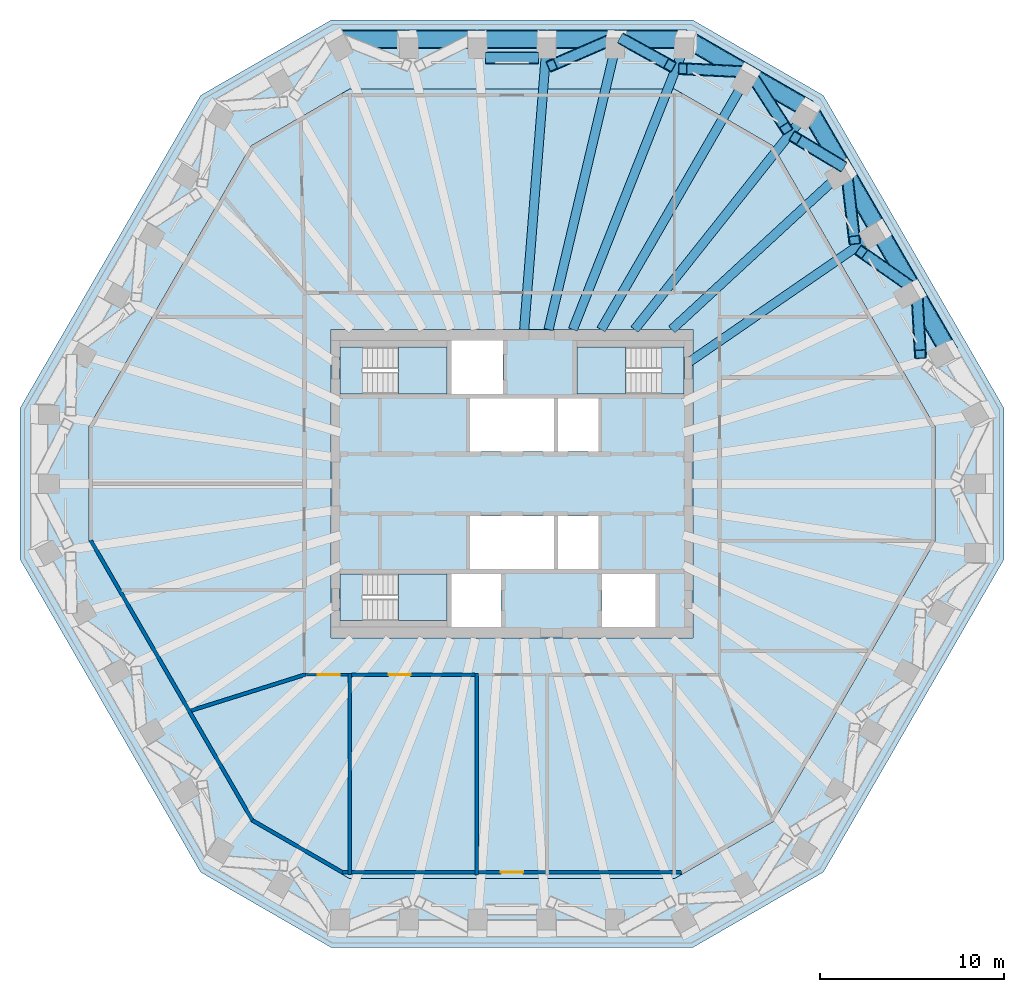
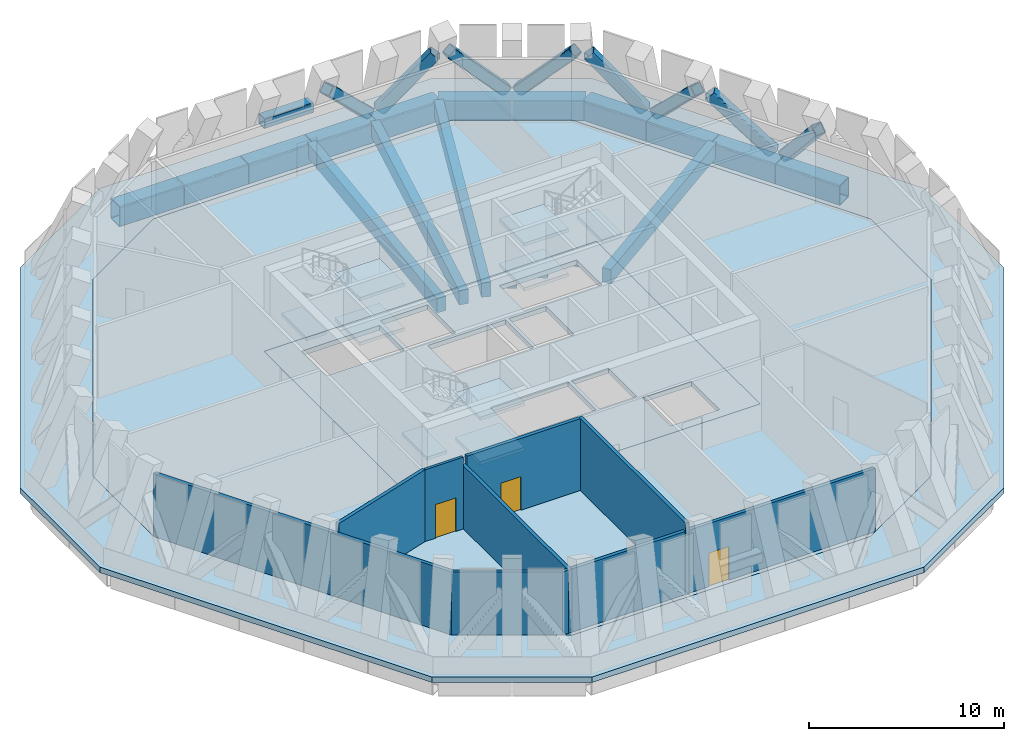
# One storey, part 3 of 8: 18 beams, 12 slabs, 9 members, 8 walls, 3 doors, 3 openings, 3 elements without a shape of their own.
"""IFC4 building model written with IfcOpenShell, lengths in metres."""

from ifc_helpers import new_model, si_unit, direction, frame, frame_2d, origin, origin_2d, place, context, subcontext, project, spatial, polyline, rectangle, hollow_rectangle, outline, extrude, material, layer, layer_set, material_profile, profile_set, type_object, element, fill, aggregate, save


model = new_model("IFC4")

# Units and contexts
model_context = context("Model", 3, precision=1e-05, world=origin(), true_north=direction((0.0, 1.0)))
body_context = subcontext(model_context, "Body", "Model", "MODEL_VIEW")
ifc_project = project(units=[si_unit("LENGTHUNIT", "METRE"), si_unit("AREAUNIT", "SQUARE_METRE"), si_unit("VOLUMEUNIT", "CUBIC_METRE"), si_unit("PLANEANGLEUNIT", "RADIAN"), si_unit("MASSUNIT", "GRAM", prefix="KILO")], contexts=[model_context])

# Site, building, storey
site_placement = place(None, origin())
site = spatial("IfcSite", under=ifc_project, at=site_placement, CompositionType="ELEMENT")
building_placement = place(site_placement, origin())
building = spatial("IfcBuilding", under=site, at=building_placement, Name="Frailejon Research Tower", CompositionType="ELEMENT")
storey_placement = place(building_placement, frame((0.0, 0.0, 257.39990234375)))
storey = spatial("IfcBuildingStorey", under=building, at=storey_placement, Name="L56", CompositionType="ELEMENT", Elevation=257.39990234375)

# Beams
ifc_material_1 = material(Name="Steel S355", Category="steel")
ifc_material_profile_1 = material_profile(ifc_material_1, hollow_rectangle(XDim=1.0, YDim=1.300048828125, WallThickness=0.06005859375, InnerFilletRadius=0.06005859375, OuterFilletRadius=0.1201171875, at=origin_2d()), Name="Belt chord")
ifc_profile_set_1 = profile_set([ifc_material_profile_1], Name="Steel S355")
beam_type_1 = type_object("IfcBeamType", Name="Belt chord", PredefinedType="BEAM", material=ifc_profile_set_1)
for number, where, z_axis, x_axis, name in (
    (1, (23.813720703125, 7.1533203125, -1.0), (-0.500000040646, 0.866025380318, 0.0), (-0.866025380318, -0.500000040646, 0.0), "Belt chord"),
    (2, (21.903076171875, 10.462646484375, -1.0), (-0.500000040646, 0.866025380318, 0.0), (-0.866025380318, -0.500000040646, 0.0), "Belt chord"),
    (3, (19.992431640625, 13.77197265625, -1.0), (-0.500000040646, 0.866025380318, 0.0), (-0.866025380318, -0.500000040646, 0.0), "Belt chord"),
    (4, (18.081787109375, 17.081298828125, -1.0), (-0.500000040646, 0.866025380318, 0.0), (-0.866025380318, -0.500000040646, 0.0), "Belt chord"),
):
    element("IfcBeam", number, at=place(storey_placement, frame(where, z_axis=z_axis, x_axis=x_axis)), inside=storey, type_object=beam_type_1, Name=name, PredefinedType="BEAM", context=body_context, shape_type="SweptSolid", body=[
        extrude(hollow_rectangle(XDim=1.0, YDim=1.300048828125, WallThickness=0.06005859375, InnerFilletRadius=0.06005859375, OuterFilletRadius=0.1201171875, at=origin_2d()), origin(), (0.0, 0.0, 1.0), 3.78125),
    ])
for number, where, z_axis, x_axis, name in (
    (5, (16.163818359375, 20.38330078125, -1.0), (-0.86602453317, 0.500001507946, 0.0), (-0.500001507946, -0.86602453317, 0.0), "Belt chord"),
    (6, (12.849853515625, 22.296630859375, -1.0), (-0.86602453317, 0.500001507946, 0.0), (-0.500001507946, -0.86602453317, 0.0), "Belt chord"),
):
    element("IfcBeam", number, at=place(storey_placement, frame(where, z_axis=z_axis, x_axis=x_axis)), inside=storey, type_object=beam_type_1, Name=name, PredefinedType="BEAM", context=body_context, shape_type="SweptSolid", body=[
        extrude(hollow_rectangle(XDim=1.0, YDim=1.300048828125, WallThickness=0.06005859375, InnerFilletRadius=0.06005859375, OuterFilletRadius=0.1201171875, at=origin_2d()), origin(), (0.0, 0.0, 1.0), 3.78662109375),
    ])
for number, where, z_axis, x_axis, name in (
    (7, (9.533203125, 24.199951171875, -1.0), (-1.0, 0.0, 0.0), (0.0, -1.0, 0.0), "Belt chord"),
    (8, (5.7119140625, 24.199951171875, -1.0), (-1.0, 0.0, 0.0), (0.0, -1.0, 0.0), "Belt chord"),
    (9, (1.890625, 24.199951171875, -1.0), (-1.0, 0.0, 0.0), (0.0, -1.0, 0.0), "Belt chord"),
    (10, (-1.9306640625, 24.199951171875, -1.0), (-1.0, 0.0, 0.0), (0.0, -1.0, 0.0), "Belt chord"),
    (11, (-5.751953125, 24.199951171875, -1.0), (-1.0, 0.0, 0.0), (0.0, -1.0, 0.0), "Belt chord"),
):
    element("IfcBeam", number, at=place(storey_placement, frame(where, z_axis=z_axis, x_axis=x_axis)), inside=storey, type_object=beam_type_1, Name=name, PredefinedType="BEAM", context=body_context, shape_type="SweptSolid", body=[
        extrude(hollow_rectangle(XDim=1.0, YDim=1.300048828125, WallThickness=0.06005859375, InnerFilletRadius=0.06005859375, OuterFilletRadius=0.1201171875, at=origin_2d()), origin(), (0.0, 0.0, 1.0), 3.78125),
    ])

# Members
ifc_material_2 = material(Name="Steel S355", Category="steel")
ifc_material_profile_2 = material_profile(ifc_material_2, hollow_rectangle(XDim=0.64990234375, YDim=0.64990234375, WallThickness=0.044921875, InnerFilletRadius=0.044921875, OuterFilletRadius=0.090087890625, at=origin_2d()), Name="Belt diagonal 5600")
ifc_profile_set_2 = profile_set([ifc_material_profile_2], Name="Steel S355")
member_type = type_object("IfcMemberType", Name="Belt diagonal 5600", PredefinedType="BRACE", material=ifc_profile_set_2)
member_1_placement = place(storey_placement, frame((22.23291015625, 7.05419921875, 3.53076171875), z_axis=(-0.037016501907, 0.664116464528, -0.746712193639), x_axis=(-0.998450249539, -0.055651587545, 0.0)))
element("IfcMember", 12, at=member_1_placement, inside=storey, type_object=member_type, Name="Belt truss diagonal", PredefinedType="BRACE", context=body_context, shape_type="SweptSolid", body=[
    extrude(hollow_rectangle(XDim=0.64990234375, YDim=0.64990234375, WallThickness=0.044921875, InnerFilletRadius=0.044921875, OuterFilletRadius=0.090087890625, at=origin_2d()), origin(), (0.0, 0.0, 1.0), 4.59033203125),
])
member_2_placement = place(storey_placement, frame((21.68798828125, 10.752197265625, 0.10302734375), z_axis=(-0.564317080241, 0.394954830887, 0.724953042967), x_axis=(-0.573396938011, -0.819277701075, 0.0)))
element("IfcMember", 13, at=member_2_placement, inside=storey, type_object=member_type, Name="Belt truss diagonal", PredefinedType="BRACE", context=body_context, shape_type="SweptSolid", body=[
    extrude(hollow_rectangle(XDim=0.64990234375, YDim=0.64990234375, WallThickness=0.044921875, InnerFilletRadius=0.044921875, OuterFilletRadius=0.090087890625, at=origin_2d()), origin(), (0.0, 0.0, 1.0), 4.728271484375),
])
member_3_placement = place(storey_placement, frame((18.644775390625, 13.269287109375, 3.53076171875), z_axis=(-0.081269119432, 0.706069316295, -0.703463894463), x_axis=(-0.993441006388, -0.114345821201, 0.0)))
element("IfcMember", 14, at=member_3_placement, inside=storey, type_object=member_type, Name="Belt truss diagonal", PredefinedType="BRACE", context=body_context, shape_type="SweptSolid", body=[
    extrude(hollow_rectangle(XDim=0.64990234375, YDim=0.64990234375, WallThickness=0.044921875, InnerFilletRadius=0.044921875, OuterFilletRadius=0.090087890625, at=origin_2d()), origin(), (0.0, 0.0, 1.0), 4.87255859375),
])
member_4_placement = place(storey_placement, frame((17.873779296875, 17.359375, 0.10302734375), z_axis=(-0.547624555557, 0.330797200043, 0.768557453021), x_axis=(-0.517047733263, -0.855956565211, 0.0)))
element("IfcMember", 15, at=member_4_placement, inside=storey, type_object=member_type, Name="Belt truss diagonal", PredefinedType="BRACE", context=body_context, shape_type="SweptSolid", body=[
    extrude(hollow_rectangle(XDim=0.64990234375, YDim=0.64990234375, WallThickness=0.044921875, InnerFilletRadius=0.044921875, OuterFilletRadius=0.090087890625, at=origin_2d()), origin(), (0.0, 0.0, 1.0), 4.4599609375),
])
for number, where, z_axis, x_axis, name in (
    (16, (14.919189453125, 19.346923828125, 3.531005859375), (-0.370939362242, 0.576170720042, -0.728307140501), (-0.840817244208, -0.541319094289, 0.0), "Belt truss diagonal"),
    (17, (12.521240234375, 22.4375, 0.098388671875), (-0.684438836439, 0.033204063737, 0.728313784934), (-0.048455841507, -0.998825325782, 0.0), "Belt truss diagonal"),
):
    element("IfcMember", number, at=place(storey_placement, frame(where, z_axis=z_axis, x_axis=x_axis)), inside=storey, type_object=member_type, Name=name, PredefinedType="BRACE", context=body_context, shape_type="SweptSolid", body=[
        extrude(hollow_rectangle(XDim=0.64990234375, YDim=0.64990234375, WallThickness=0.044921875, InnerFilletRadius=0.044921875, OuterFilletRadius=0.090087890625, at=origin_2d()), origin(), (0.0, 0.0, 1.0), 4.713134765625),
    ])
member_5_placement = place(storey_placement, frame((8.595703125, 22.781494140625, 3.53076171875), z_axis=(-0.560325446619, 0.308792091088, -0.76855893616), x_axis=(-0.482654313132, -0.875810946503, 0.0)))
element("IfcMember", 18, at=member_5_placement, inside=storey, type_object=member_type, Name="Belt truss diagonal", PredefinedType="BRACE", context=body_context, shape_type="SweptSolid", body=[
    extrude(hollow_rectangle(XDim=0.64990234375, YDim=0.64990234375, WallThickness=0.044921875, InnerFilletRadius=0.044921875, OuterFilletRadius=0.090087890625, at=origin_2d()), origin(), (0.0, 0.0, 1.0), 4.4599609375),
])
member_6_placement = place(storey_placement, frame((5.3466796875, 24.15869140625, 0.10302734375), z_axis=(-0.652110494088, -0.282639669393, 0.703467640184), x_axis=(0.397676681056, -0.917525616724, 0.0)))
element("IfcMember", 19, at=member_6_placement, inside=storey, type_object=member_type, Name="Belt truss diagonal", PredefinedType="BRACE", context=body_context, shape_type="SweptSolid", body=[
    extrude(hollow_rectangle(XDim=0.64990234375, YDim=0.64990234375, WallThickness=0.044921875, InnerFilletRadius=0.044921875, OuterFilletRadius=0.090087890625, at=origin_2d()), origin(), (0.0, 0.0, 1.0), 4.87255859375),
])
member_7_placement = place(storey_placement, frame((1.452392578125, 23.185546875, 2.525146484375), z_axis=(-1.0, 0.0, 0.0), x_axis=(0.0, -1.0, 0.0)))
element("IfcMember", 20, at=member_7_placement, inside=storey, type_object=member_type, Name="Belt truss door-head strut", PredefinedType="BRACE", context=body_context, shape_type="SweptSolid", body=[
    extrude(hollow_rectangle(XDim=0.64990234375, YDim=0.64990234375, WallThickness=0.044921875, InnerFilletRadius=0.044921875, OuterFilletRadius=0.090087890625, at=origin_2d()), origin(), (0.0, 0.0, 1.0), 2.90478515625),
])

# Beams
ifc_material_3 = material(Name="Concrete C60/75", Category="concrete")
ifc_material_profile_3 = material_profile(ifc_material_3, rectangle(XDim=0.5, YDim=0.89990234375, at=origin_2d()), Name="Girder 500x900")
ifc_profile_set_3 = profile_set([ifc_material_profile_3], Name="Concrete C60/75")
beam_type_2 = type_object("IfcBeamType", Name="Girder 500x900", PredefinedType="BEAM", material=ifc_profile_set_3)
beam_1_placement = place(storey_placement, frame((19.692138671875, 13.541259765625, -0.75), z_axis=(-0.823979789761, -0.566619189637, 0.0), x_axis=(0.566619189637, -0.823979789761, 0.0)))
element("IfcBeam", 21, at=beam_1_placement, inside=storey, type_object=beam_type_2, Name="Girder 500x900", PredefinedType="BEAM", context=body_context, shape_type="SweptSolid", body=[
    extrude(rectangle(XDim=0.5, YDim=0.89990234375, at=origin_2d()), origin(), (0.0, 0.0, 1.0), 12.612060546875),
])
beam_2_placement = place(storey_placement, frame((17.806640625, 16.80078125, -0.75), z_axis=(-0.735016449092, -0.678049275174, 0.0), x_axis=(0.678049275174, -0.735016449092, 0.0)))
element("IfcBeam", 22, at=beam_2_placement, inside=storey, type_object=beam_type_2, Name="Girder 500x900", PredefinedType="BEAM", context=body_context, shape_type="SweptSolid", body=[
    extrude(rectangle(XDim=0.5, YDim=0.89990234375, at=origin_2d()), origin(), (0.0, 0.0, 1.0), 12.389892578125),
])
beam_3_placement = place(storey_placement, frame((15.9443359375, 20.0751953125, -0.75), z_axis=(-0.621929399044, -0.783073318793, 0.0), x_axis=(0.783073318793, -0.621929399044, 0.0)))
element("IfcBeam", 23, at=beam_3_placement, inside=storey, type_object=beam_type_2, Name="Girder 500x900", PredefinedType="BEAM", context=body_context, shape_type="SweptSolid", body=[
    extrude(rectangle(XDim=0.5, YDim=0.89990234375, at=origin_2d()), origin(), (0.0, 0.0, 1.0), 14.90966796875),
])
beam_4_placement = place(storey_placement, frame((12.6796875, 21.9619140625, -0.75), z_axis=(-0.499990558751, -0.866030854623, 0.0), x_axis=(0.866030854623, -0.499990558751, 0.0)))
element("IfcBeam", 24, at=beam_4_placement, inside=storey, type_object=beam_type_2, Name="Girder 500x900", PredefinedType="BEAM", context=body_context, shape_type="SweptSolid", body=[
    extrude(rectangle(XDim=0.5, YDim=0.89990234375, at=origin_2d()), origin(), (0.0, 0.0, 1.0), 15.659912109375),
])
beam_5_placement = place(storey_placement, frame((9.40087890625, 23.814453125, -0.75), z_axis=(-0.367180622344, -0.93014966031, 0.0), x_axis=(0.93014966031, -0.367180622344, 0.0)))
element("IfcBeam", 25, at=beam_5_placement, inside=storey, type_object=beam_type_2, Name="Girder 500x900", PredefinedType="BEAM", context=body_context, shape_type="SweptSolid", body=[
    extrude(rectangle(XDim=0.5, YDim=0.89990234375, at=origin_2d()), origin(), (0.0, 0.0, 1.0), 16.572021484375),
])
beam_6_placement = place(storey_placement, frame((5.64208984375, 23.821044921875, -0.75), z_axis=(-0.230479051582, -0.973077287158, 0.0), x_axis=(0.973077287158, -0.230479051582, 0.0)))
element("IfcBeam", 26, at=beam_6_placement, inside=storey, type_object=beam_type_2, Name="Girder 500x900", PredefinedType="BEAM", context=body_context, shape_type="SweptSolid", body=[
    extrude(rectangle(XDim=0.5, YDim=0.89990234375, at=origin_2d()), origin(), (0.0, 0.0, 1.0), 15.847900390625),
])
beam_7_placement = place(storey_placement, frame((1.881103515625, 23.824462890625, -0.75), z_axis=(-0.078721055235, -0.996896682441, 0.0), x_axis=(0.996896682441, -0.078721055235, 0.0)))
element("IfcBeam", 27, at=beam_7_placement, inside=storey, type_object=beam_type_2, Name="Girder 500x900", PredefinedType="BEAM", context=body_context, shape_type="SweptSolid", body=[
    extrude(rectangle(XDim=0.5, YDim=0.89990234375, at=origin_2d()), origin(), (0.0, 0.0, 1.0), 15.47265625),
])

# Slabs
ifc_material_4 = material(Name="Concrete C50/60", Category="concrete")
ifc_layer_1 = layer(ifc_material_4, 0.300048828125)
ifc_layer_set_1 = layer_set([ifc_layer_1], Name="Core floor slab 300 C50/60")
slab_type_1 = type_object("IfcSlabType", Name="Core floor slab 300 C50/60", PredefinedType="FLOOR", material=ifc_layer_set_1)
slab_1_placement = place(storey_placement, frame((0.0, 0.0, -0.2998046875)))
element("IfcSlab", 28, at=slab_1_placement, inside=storey, type_object=slab_type_1, Name="Core floor slab", PredefinedType="FLOOR", context=body_context, shape_type="SweptSolid", body=[
    extrude(outline(polyline([(9.85009765625, -8.39990234375), (9.85009765625, 8.39990234375), (-9.85009765625, 8.39990234375), (-9.85009765625, -8.39990234375), (9.85009765625, -8.39990234375)]), holes=[polyline([(2.300048828125, 1.75), (2.300048828125, 4.64990234375), (-2.300048828125, 4.64990234375), (-2.300048828125, 1.75), (2.300048828125, 1.75)]), polyline([(4.699951171875, 1.75), (4.699951171875, 4.64990234375), (2.5, 4.64990234375), (2.5, 1.75), (4.699951171875, 1.75)]), polyline([(2.300048828125, -4.64990234375), (2.300048828125, -1.75), (-2.300048828125, -1.75), (-2.300048828125, -4.64990234375), (2.300048828125, -4.64990234375)]), polyline([(4.699951171875, -4.64990234375), (4.699951171875, -1.75), (2.5, -1.75), (2.5, -4.64990234375), (4.699951171875, -4.64990234375)]), polyline([(-8.14697265625, 4.89990234375), (-3.550048828125, 4.89990234375), (-3.550048828125, 7.449951171875), (-8.14697265625, 7.449951171875), (-8.14697265625, 4.89990234375)]), polyline([(-8.14697265625, -7.449951171875), (-3.550048828125, -7.449951171875), (-3.550048828125, -4.89990234375), (-8.14697265625, -4.89990234375), (-8.14697265625, -7.449951171875)]), polyline([(8.14697265625, 7.449951171875), (3.550048828125, 7.449951171875), (3.550048828125, 4.89990234375), (8.14697265625, 4.89990234375), (8.14697265625, 7.449951171875)]), polyline([(-0.60009765625, -7.800048828125), (-0.60009765625, -4.89990234375), (-3.300048828125, -4.89990234375), (-3.300048828125, -7.800048828125), (-0.60009765625, -7.800048828125)]), polyline([(7.800048828125, -7.800048828125), (7.800048828125, -4.89990234375), (4.89990234375, -4.89990234375), (4.89990234375, -7.800048828125), (7.800048828125, -7.800048828125)]), polyline([(-0.5, 4.89990234375), (-0.5, 7.800048828125), (-3.300048828125, 7.800048828125), (-3.300048828125, 4.89990234375), (-0.5, 4.89990234375)])]), origin(), (0.0, 0.0, 1.0), 0.2998046875),
])
ifc_material_5 = material(Name="Concrete C40/50", Category="concrete")
ifc_layer_2 = layer(ifc_material_5, 0.35009765625)
ifc_layer_set_2 = layer_set([ifc_layer_2], Name="Plant gallery slab 350")
slab_type_2 = type_object("IfcSlabType", Name="Plant gallery slab 350", PredefinedType="FLOOR", material=ifc_layer_set_2)
slab_2_placement = place(storey_placement, frame((0.0, 0.0, -0.349853515625)))
element("IfcSlab", 29, at=slab_2_placement, inside=storey, type_object=slab_type_2, Name="Plant gallery slab L56", PredefinedType="FLOOR", context=body_context, shape_type="SweptSolid", body=[
    extrude(outline(polyline([(16.949951171875, -21.141845703125), (9.83447265625, -25.25), (-9.83447265625, -25.25), (-16.949951171875, -21.141845703125), (-26.784423828125, -4.108154296875), (-26.784423828125, 4.108154296875), (-16.949951171875, 21.141845703125), (-9.83447265625, 25.25), (9.83447265625, 25.25), (16.949951171875, 21.141845703125), (26.784423828125, 4.108154296875), (26.784423828125, -4.108154296875), (16.949951171875, -21.141845703125)]), holes=[polyline([(23.034423828125, 3.103271484375), (14.20458984375, 18.396728515625), (8.82958984375, 21.5), (-8.82958984375, 21.5), (-14.20458984375, 18.396728515625), (-23.034423828125, 3.103271484375), (-23.034423828125, -3.103271484375), (-14.20458984375, -18.396728515625), (-8.82958984375, -21.5), (8.82958984375, -21.5), (14.20458984375, -18.396728515625), (23.034423828125, -3.103271484375), (23.034423828125, 3.103271484375)])]), origin(), (0.0, 0.0, 1.0), 0.349853515625),
])
ifc_material_6 = material(Name="Concrete C40/50", Category="concrete")
ifc_layer_3 = layer(ifc_material_6, 0.300048828125)
ifc_layer_set_3 = layer_set([ifc_layer_3], Name="Slab typical 300")
slab_type_3 = type_object("IfcSlabType", Name="Slab typical 300", PredefinedType="FLOOR", material=ifc_layer_set_3)
slab_3_placement = place(storey_placement, frame((0.0, 0.0, -0.2998046875)))
element("IfcSlab", 30, at=slab_3_placement, inside=storey, type_object=slab_type_3, Name="Floor slab L56", PredefinedType="FLOOR", context=body_context, shape_type="SweptSolid", body=[
    extrude(outline(polyline([(23.034423828125, -3.103271484375), (23.034423828125, 3.103271484375), (14.20458984375, 18.396728515625), (8.82958984375, 21.5), (-8.82958984375, 21.5), (-14.20458984375, 18.396728515625), (-23.034423828125, 3.103271484375), (-23.034423828125, -3.103271484375), (-14.20458984375, -18.396728515625), (-8.82958984375, -21.5), (8.82958984375, -21.5), (14.20458984375, -18.396728515625), (23.034423828125, -3.103271484375)]), holes=[polyline([(9.300048828125, 8.39990234375), (9.85009765625, 8.39990234375), (9.85009765625, -8.39990234375), (9.300048828125, -8.39990234375), (-9.300048828125, -8.39990234375), (-9.85009765625, -8.39990234375), (-9.85009765625, 8.39990234375), (-9.300048828125, 8.39990234375), (9.300048828125, 8.39990234375)])]), origin(), (0.0, 0.0, 1.0), 0.2998046875),
])

# Stair, slabs
ifc_material_7 = material(Name="Concrete C50/60", Category="concrete")
stair_type = type_object("IfcStairType", Name="Exit stair 32 risers", PredefinedType="HALF_TURN_STAIR", material=ifc_material_7)
stair_1_placement = place(storey_placement, origin())
stair_1 = element("IfcStair", 31, at=stair_1_placement, inside=storey, type_object=stair_type, Name="L56 Exit stair ST1", PredefinedType="HALF_TURN_STAIR")
ifc_material_8 = material(Name="Concrete C50/60", Category="concrete")
ifc_layer_4 = layer(ifc_material_8, 0.199951171875)
ifc_layer_set_4 = layer_set([ifc_layer_4], Name="Stair landing slab 200")
slab_type_4 = type_object("IfcSlabType", Name="Stair landing slab 200", PredefinedType="LANDING", material=ifc_layer_set_4)
slab_4_placement = place(storey_placement, frame((0.0, 0.0, 1.2001953125)))
slab_4 = element("IfcSlab", 32, at=slab_4_placement, type_object=slab_type_4, Name="ST1 landing 1", PredefinedType="LANDING", context=body_context, shape_type="SweptSolid", body=[
    extrude(outline(polyline([(-6.18994140625, 4.89990234375), (-3.550048828125, 4.89990234375), (-3.550048828125, 7.449951171875), (-6.18994140625, 7.449951171875), (-6.18994140625, 4.89990234375)])), origin(), (0.0, 0.0, 1.0), 0.199951171875),
])
slab_5_placement = place(storey_placement, frame((0.0, 0.0, 2.60009765625)))
slab_5 = element("IfcSlab", 33, at=slab_5_placement, type_object=slab_type_4, Name="ST1 landing 2", PredefinedType="LANDING", context=body_context, shape_type="SweptSolid", body=[
    extrude(outline(polyline([(-9.35009765625, 4.89990234375), (-8.14990234375, 4.89990234375), (-8.14990234375, 7.449951171875), (-9.35009765625, 7.449951171875), (-9.35009765625, 4.89990234375)])), origin(), (0.0, 0.0, 1.0), 0.199951171875),
])
slab_6_placement = place(storey_placement, frame((0.0, 0.0, 4.0)))
slab_6 = element("IfcSlab", 34, at=slab_6_placement, type_object=slab_type_4, Name="ST1 landing 3", PredefinedType="LANDING", context=body_context, shape_type="SweptSolid", body=[
    extrude(outline(polyline([(-6.18994140625, 4.89990234375), (-3.550048828125, 4.89990234375), (-3.550048828125, 7.449951171875), (-6.18994140625, 7.449951171875), (-6.18994140625, 4.89990234375)])), origin(), (0.0, 0.0, 1.0), 0.2001953125),
])
aggregate(stair_1, [slab_4, slab_5, slab_6])

stair_2_placement = place(storey_placement, origin())
stair_2 = element("IfcStair", 35, at=stair_2_placement, inside=storey, type_object=stair_type, Name="L56 Exit stair ST2", PredefinedType="HALF_TURN_STAIR")
slab_7_placement = place(storey_placement, frame((0.0, 0.0, 1.2001953125)))
slab_7 = element("IfcSlab", 36, at=slab_7_placement, type_object=slab_type_4, Name="ST2 landing 1", PredefinedType="LANDING", context=body_context, shape_type="SweptSolid", body=[
    extrude(outline(polyline([(-6.18994140625, -7.449951171875), (-3.550048828125, -7.449951171875), (-3.550048828125, -4.89990234375), (-6.18994140625, -4.89990234375), (-6.18994140625, -7.449951171875)])), origin(), (0.0, 0.0, 1.0), 0.199951171875),
])
slab_8_placement = place(storey_placement, frame((0.0, 0.0, 2.60009765625)))
slab_8 = element("IfcSlab", 37, at=slab_8_placement, type_object=slab_type_4, Name="ST2 landing 2", PredefinedType="LANDING", context=body_context, shape_type="SweptSolid", body=[
    extrude(outline(polyline([(-9.35009765625, -7.449951171875), (-8.14990234375, -7.449951171875), (-8.14990234375, -4.89990234375), (-9.35009765625, -4.89990234375), (-9.35009765625, -7.449951171875)])), origin(), (0.0, 0.0, 1.0), 0.199951171875),
])
slab_9_placement = place(storey_placement, frame((0.0, 0.0, 4.0)))
slab_9 = element("IfcSlab", 38, at=slab_9_placement, type_object=slab_type_4, Name="ST2 landing 3", PredefinedType="LANDING", context=body_context, shape_type="SweptSolid", body=[
    extrude(outline(polyline([(-6.18994140625, -7.449951171875), (-3.550048828125, -7.449951171875), (-3.550048828125, -4.89990234375), (-6.18994140625, -4.89990234375), (-6.18994140625, -7.449951171875)])), origin(), (0.0, 0.0, 1.0), 0.2001953125),
])
aggregate(stair_2, [slab_7, slab_8, slab_9])

stair_3_placement = place(storey_placement, origin())
stair_3 = element("IfcStair", 39, at=stair_3_placement, inside=storey, type_object=stair_type, Name="L56 Exit stair ST3", PredefinedType="HALF_TURN_STAIR")
slab_10_placement = place(storey_placement, frame((0.0, 0.0, 1.2001953125)))
slab_10 = element("IfcSlab", 40, at=slab_10_placement, type_object=slab_type_4, Name="ST3 landing 1", PredefinedType="LANDING", context=body_context, shape_type="SweptSolid", body=[
    extrude(outline(polyline([(6.18994140625, 7.449951171875), (3.550048828125, 7.449951171875), (3.550048828125, 4.89990234375), (6.18994140625, 4.89990234375), (6.18994140625, 7.449951171875)])), origin(), (0.0, 0.0, 1.0), 0.199951171875),
])
slab_11_placement = place(storey_placement, frame((0.0, 0.0, 2.60009765625)))
slab_11 = element("IfcSlab", 41, at=slab_11_placement, type_object=slab_type_4, Name="ST3 landing 2", PredefinedType="LANDING", context=body_context, shape_type="SweptSolid", body=[
    extrude(outline(polyline([(9.35009765625, 7.449951171875), (8.14990234375, 7.449951171875), (8.14990234375, 4.89990234375), (9.35009765625, 4.89990234375), (9.35009765625, 7.449951171875)])), origin(), (0.0, 0.0, 1.0), 0.199951171875),
])
slab_12_placement = place(storey_placement, frame((0.0, 0.0, 4.0)))
slab_12 = element("IfcSlab", 42, at=slab_12_placement, type_object=slab_type_4, Name="ST3 landing 3", PredefinedType="LANDING", context=body_context, shape_type="SweptSolid", body=[
    extrude(outline(polyline([(6.18994140625, 7.449951171875), (3.550048828125, 7.449951171875), (3.550048828125, 4.89990234375), (6.18994140625, 4.89990234375), (6.18994140625, 7.449951171875)])), origin(), (0.0, 0.0, 1.0), 0.2001953125),
])
aggregate(stair_3, [slab_10, slab_11, slab_12])

# Wall, opening, door
ifc_material_9 = material(Name="Gypsum board and masonry partition", Category="masonry")
ifc_layer_5 = layer(ifc_material_9, 0.14990234375)
ifc_layer_set_5 = layer_set([ifc_layer_5], Name="Corridor wall EI 60, gypsum on steel studs 150")
wall_type_1 = type_object("IfcWallType", Name="Corridor wall EI 60, gypsum on steel studs 150", PredefinedType="PARTITIONING", material=ifc_layer_set_5)
wall_1_placement = place(storey_placement, frame((-11.199951171875, -10.39990234375, 0.0), z_axis=(0.0, 0.0, 1.0), x_axis=(1.0, 0.0, 0.0)))
wall_1 = element("IfcWall", 43, at=wall_1_placement, inside=storey, type_object=wall_type_1, Name="T:IW:L56:005", PredefinedType="PARTITIONING", context=body_context, shape_type="SweptSolid", body=[
    extrude(rectangle(XDim=2.270263671875, YDim=0.14990234375, at=frame_2d((1.13525390625, 0.0))), origin(), (0.0, 0.0, 1.0), 4.5),
])
opening_1_placement = place(wall_1_placement, frame((0.62060546875, 0.0, 0.0)))
opening_1 = element("IfcOpeningElement", 44, at=opening_1_placement, cuts=wall_1, Name="Opening D1140", PredefinedType="OPENING", context=body_context, shape_type="SweptSolid", body=[
    extrude(rectangle(XDim=1.199951171875, YDim=2.10009765625, at=frame_2d((0.60009765625, 1.050048828125))), frame((0.0, 0.0849609375, 0.0), z_axis=(0.0, -1.0, 0.0), x_axis=(1.0, 0.0, 0.0)), (0.0, 0.0, 1.0), 0.169921875),
])
ifc_material_10 = material(Name="Steel door leaf", Category="steel")
door_type_1 = type_object("IfcDoorType", Name="Door plant room, steel 1200", OperationType="NOTDEFINED", PredefinedType="DOOR", material=ifc_material_10)
door_1_placement = place(opening_1_placement, origin())
door_1 = element("IfcDoor", 45, at=door_1_placement, inside=storey, type_object=door_type_1, Name="D1140", OperationType="DOUBLE_DOOR_SINGLE_SWING", OverallHeight=2.10009765625, OverallWidth=1.199951171875, PredefinedType="DOOR", context=body_context, shape_type="SweptSolid", body=[
    extrude(rectangle(XDim=1.199951171875, YDim=2.10009765625, at=frame_2d((0.60009765625, 1.050048828125))), frame((0.0, 0.02490234375, 0.0), z_axis=(0.0, -1.0, 0.0), x_axis=(1.0, 0.0, 0.0)), (0.0, 0.0, 1.0), 0.050048828125),
])
fill(opening_1, door_1)

# Walls
ifc_material_11 = material(Name="Aluminium louvre panel wall", Category="aluminium")
ifc_layer_6 = layer(ifc_material_11, 0.199951171875)
ifc_layer_set_6 = layer_set([ifc_layer_6], Name="Louvred plant wall 200")
wall_type_2 = type_object("IfcWallType", Name="Louvred plant wall 200", PredefinedType="SOLIDWALL", material=ifc_layer_set_6)
wall_2_placement = place(storey_placement, frame((-22.934326171875, -3.076416015625, 0.0), z_axis=(0.0, 0.0, 1.0), x_axis=(0.499992938033, -0.866029480975, 0.0)))
element("IfcWall", 46, at=wall_2_placement, inside=storey, type_object=wall_type_2, Name="Plant louvre wall L56", PredefinedType="SOLIDWALL", context=body_context, shape_type="SweptSolid", body=[
    extrude(outline(polyline([(-0.02685546875, -0.10009765625), (17.632568359375, -0.10009765625), (17.578857421875, 0.10009765625), (0.02685546875, 0.10009765625), (-0.02685546875, -0.10009765625)])), origin(), (0.0, 0.0, 1.0), 3.9501953125),
])
wall_3_placement = place(storey_placement, frame((-14.131591796875, -18.323486328125, 0.0), z_axis=(0.0, 0.0, 1.0), x_axis=(0.866036716508, -0.499980405277, 0.0)))
element("IfcWall", 47, at=wall_3_placement, inside=storey, type_object=wall_type_2, Name="Plant louvre wall L56", PredefinedType="SOLIDWALL", context=body_context, shape_type="SweptSolid", body=[
    extrude(outline(polyline([(-0.02685546875, -0.10009765625), (5.679931640625, -0.10009765625), (5.626220703125, 0.10009765625), (0.02685546875, 0.10009765625), (-0.02685546875, -0.10009765625)])), origin(), (0.0, 0.0, 1.0), 3.9501953125),
])

# Wall, opening, door
wall_4_placement = place(storey_placement, frame((-9.23583984375, -21.14990234375, 0.0), z_axis=(0.0, 0.0, 1.0), x_axis=(1.0, 0.0, 0.0)))
wall_4 = element("IfcWall", 48, at=wall_4_placement, inside=storey, type_object=wall_type_2, Name="Plant louvre wall L56", PredefinedType="SOLIDWALL", context=body_context, shape_type="SweptSolid", body=[
    extrude(outline(polyline([(-0.02685546875, -0.10009765625), (18.49853515625, -0.10009765625), (18.44482421875, 0.10009765625), (0.02685546875, 0.10009765625), (-0.02685546875, -0.10009765625)])), origin(), (0.0, 0.0, 1.0), 3.9501953125),
])
opening_2_placement = place(wall_4_placement, frame((8.635986328125, 0.0, 0.0)))
opening_2 = element("IfcOpeningElement", 49, at=opening_2_placement, cuts=wall_4, Name="Opening PG56-2", PredefinedType="OPENING", context=body_context, shape_type="SweptSolid", body=[
    extrude(rectangle(XDim=1.199951171875, YDim=2.10009765625, at=frame_2d((0.60009765625, 1.050048828125))), frame((0.0, 0.10986328125, 0.0), z_axis=(0.0, -1.0, 0.0), x_axis=(1.0, 0.0, 0.0)), (0.0, 0.0, 1.0), 0.219970703125),
])
ifc_material_12 = material(Name="Steel door leaf", Category="steel")
door_type_2 = type_object("IfcDoorType", Name="Plant gallery door 1200x2100", OperationType="SINGLE_SWING_RIGHT", PredefinedType="DOOR", material=ifc_material_12)
door_2_placement = place(opening_2_placement, origin())
door_2 = element("IfcDoor", 50, at=door_2_placement, inside=storey, type_object=door_type_2, Name="Door PG56-2", OperationType="SINGLE_SWING_RIGHT", OverallHeight=2.10009765625, OverallWidth=1.199951171875, PredefinedType="DOOR", context=body_context, shape_type="SweptSolid", body=[
    extrude(rectangle(XDim=1.199951171875, YDim=2.10009765625, at=frame_2d((0.60009765625, 1.050048828125))), frame((0.0, 0.02490234375, 0.0), z_axis=(0.0, -1.0, 0.0), x_axis=(1.0, 0.0, 0.0)), (0.0, 0.0, 1.0), 0.050048828125),
])
fill(opening_2, door_2)

ifc_material_13 = material(Name="Gypsum board and masonry partition", Category="masonry")
ifc_layer_7 = layer(ifc_material_13, 0.199951171875)
ifc_layer_set_7 = layer_set([ifc_layer_7], Name="Plant enclosure wall, blockwork 200")
wall_type_3 = type_object("IfcWallType", Name="Plant enclosure wall, blockwork 200", PredefinedType="PARTITIONING", material=ifc_layer_set_7)
wall_5_placement = place(storey_placement, frame((-8.729736328125, -10.39990234375, 0.0), z_axis=(0.0, 0.0, 1.0), x_axis=(1.0, 0.0, 0.0)))
wall_5 = element("IfcWall", 51, at=wall_5_placement, inside=storey, type_object=wall_type_3, Name="T:IW:L56:013", PredefinedType="PARTITIONING", context=body_context, shape_type="SweptSolid", body=[
    extrude(rectangle(XDim=6.71923828125, YDim=0.199951171875, at=frame_2d((3.359619140625, 0.0))), origin(), (0.0, 0.0, 1.0), 4.5),
])
opening_3_placement = place(wall_5_placement, frame((2.006591796875, 0.0, 0.0)))
opening_3 = element("IfcOpeningElement", 52, at=opening_3_placement, cuts=wall_5, Name="Opening D1141", PredefinedType="OPENING", context=body_context, shape_type="SweptSolid", body=[
    extrude(rectangle(XDim=1.199951171875, YDim=2.10009765625, at=frame_2d((0.60009765625, 1.050048828125))), frame((0.0, 0.10986328125, 0.0), z_axis=(0.0, -1.0, 0.0), x_axis=(1.0, 0.0, 0.0)), (0.0, 0.0, 1.0), 0.219970703125),
])
door_3_placement = place(opening_3_placement, origin())
door_3 = element("IfcDoor", 53, at=door_3_placement, inside=storey, type_object=door_type_1, Name="D1141", OperationType="DOUBLE_DOOR_SINGLE_SWING", OverallHeight=2.10009765625, OverallWidth=1.199951171875, PredefinedType="DOOR", context=body_context, shape_type="SweptSolid", body=[
    extrude(rectangle(XDim=1.199951171875, YDim=2.10009765625, at=frame_2d((0.60009765625, 1.050048828125))), frame((0.0, 0.02490234375, 0.0), z_axis=(0.0, -1.0, 0.0), x_axis=(1.0, 0.0, 0.0)), (0.0, 0.0, 1.0), 0.050048828125),
])
fill(opening_3, door_3)

# Walls
wall_6_placement = place(storey_placement, frame((-8.82958984375, -21.26904296875, 0.0), z_axis=(0.0, 0.0, 1.0), x_axis=(0.0, 1.0, 0.0)))
element("IfcWall", 54, at=wall_6_placement, inside=storey, type_object=wall_type_3, Name="T:IW:L56:019", PredefinedType="PARTITIONING", context=body_context, shape_type="SweptSolid", body=[
    extrude(rectangle(XDim=10.944091796875, YDim=0.199951171875, at=frame_2d((5.47216796875, 0.0))), origin(), (0.0, 0.0, 1.0), 3.9501953125),
])
wall_7_placement = place(storey_placement, frame((-17.46875, -12.343017578125, 0.0), z_axis=(0.0, 0.0, 1.0), x_axis=(0.95380292302, 0.300432994258, 0.0)))
element("IfcWall", 55, at=wall_7_placement, inside=storey, type_object=wall_type_3, Name="T:IW:L56:025", PredefinedType="PARTITIONING", context=body_context, shape_type="SweptSolid", body=[
    extrude(rectangle(XDim=6.54248046875, YDim=0.199951171875, at=frame_2d((3.271240234375, 0.0))), origin(), (0.0, 0.0, 1.0), 4.5),
])
wall_8_placement = place(storey_placement, frame((-1.91064453125, -21.300048828125, 0.0), z_axis=(0.0, 0.0, 1.0), x_axis=(0.0, 1.0, 0.0)))
element("IfcWall", 56, at=wall_8_placement, inside=storey, type_object=wall_type_3, Name="T:IW:L56:026", PredefinedType="PARTITIONING", context=body_context, shape_type="SweptSolid", body=[
    extrude(rectangle(XDim=10.97509765625, YDim=0.199951171875, at=frame_2d((5.487548828125, 0.0))), origin(), (0.0, 0.0, 1.0), 4.5),
])

save(model, "model.ifc")
